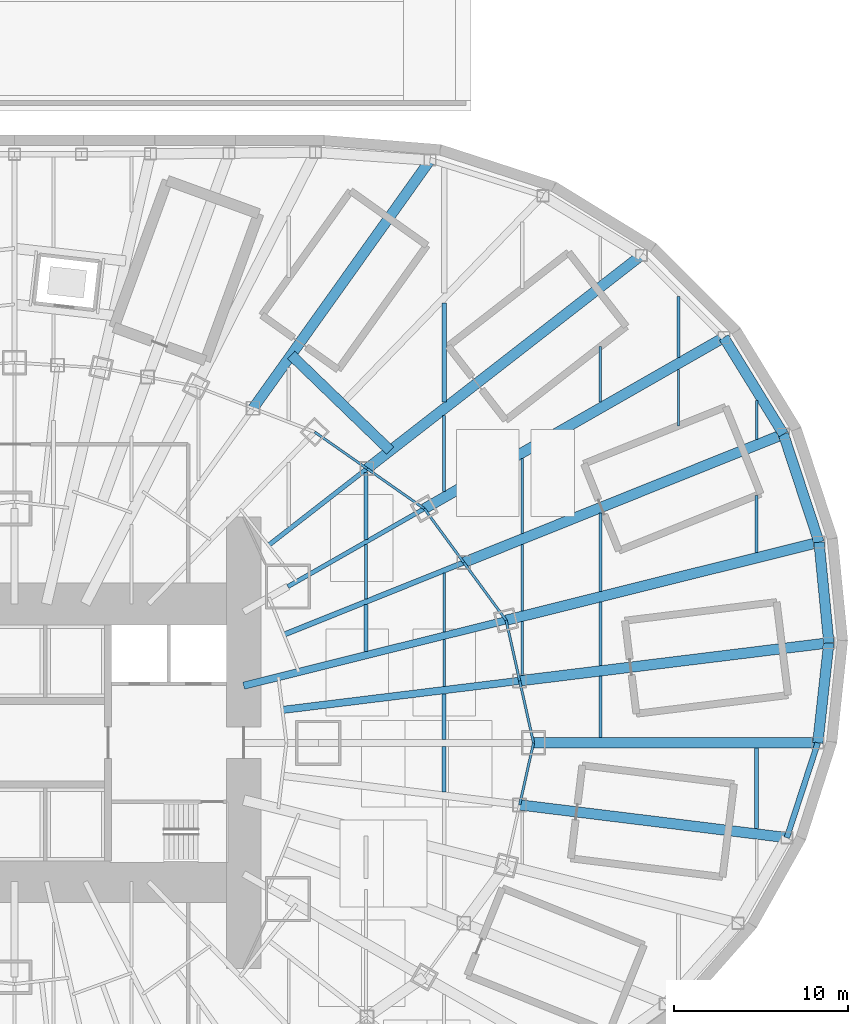
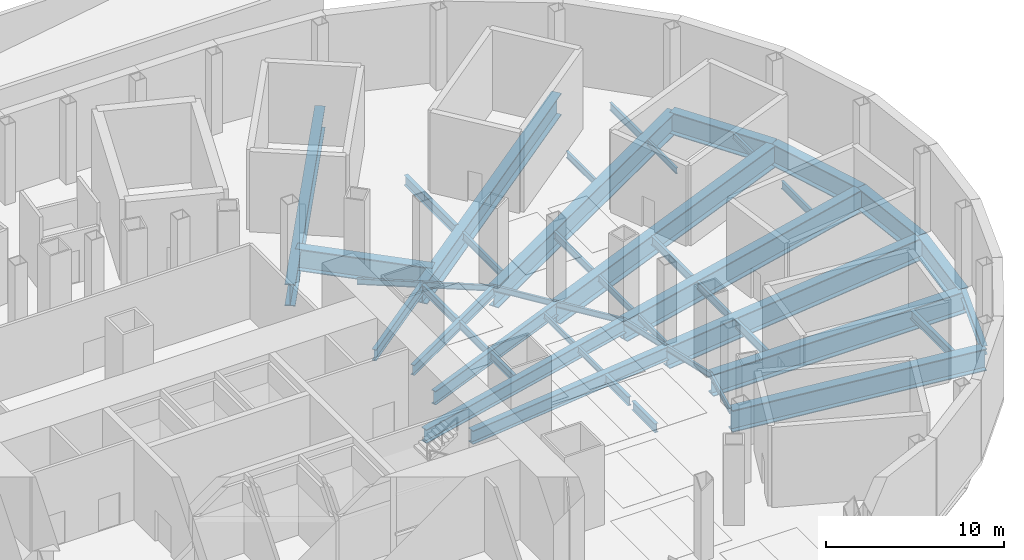
# One storey, part 8 of 19: 47 beams.
"""IFC4 building model written with IfcOpenShell, lengths in metres."""

from ifc_helpers import new_model, si_unit, direction, frame, origin, origin_2d, place, context, subcontext, project, spatial, i_section, extrude, material, material_profile, profile_set, type_object, element, save


model = new_model("IFC4")

# Units and contexts
model_context = context("Model", 3, precision=1e-05, world=origin(), true_north=direction((0.0, 1.0)))
body_context = subcontext(model_context, "Body", "Model", "MODEL_VIEW")
ifc_project = project(units=[si_unit("LENGTHUNIT", "METRE"), si_unit("AREAUNIT", "SQUARE_METRE"), si_unit("VOLUMEUNIT", "CUBIC_METRE"), si_unit("PLANEANGLEUNIT", "RADIAN"), si_unit("MASSUNIT", "GRAM", prefix="KILO")], contexts=[model_context])

# Site, building, storey
site_placement = place(None, origin())
site = spatial("IfcSite", under=ifc_project, at=site_placement, CompositionType="ELEMENT")
building_placement = place(site_placement, origin())
building = spatial("IfcBuilding", under=site, at=building_placement, Name="Lantaw Convention Tower", CompositionType="ELEMENT")
storey_placement = place(building_placement, frame((0.0, 0.0, -5.5)))
storey = spatial("IfcBuildingStorey", under=building, at=storey_placement, Name="B1", CompositionType="ELEMENT", Elevation=-5.5)

# Beams
ifc_material_1 = material(Name="Steel ASTM A572 Grade 50", Category="steel")
ifc_material_profile_1 = material_profile(ifc_material_1, i_section(OverallWidth=0.60009765625, OverallDepth=1.5, WebThickness=0.02490234375, FlangeThickness=0.06005859375, at=origin_2d()), Name="PG1500X600X25X60")
ifc_profile_set_1 = profile_set([ifc_material_profile_1], Name="Steel ASTM A572 Grade 50")
beam_type_1 = type_object("IfcBeamType", Name="Beam E PG1500X600X25X60", PredefinedType="SPANDREL", material=ifc_profile_set_1)
beam_1_placement = place(storey_placement, frame((46.2724609375, 0.0, -1.050048828125), z_axis=(0.109673093737, 0.993967712006, 0.0), x_axis=(-0.993967712006, 0.109673093737, 0.0)))
element("IfcBeam", 1, at=beam_1_placement, inside=storey, type_object=beam_type_1, Name="Podium edge beam R00", PredefinedType="SPANDREL", context=body_context, shape_type="SweptSolid", body=[
    extrude(i_section(OverallWidth=0.60009765625, OverallDepth=1.5, WebThickness=0.02490234375, FlangeThickness=0.06005859375, at=origin_2d()), origin(), (0.0, 0.0, 1.0), 5.79443359375),
])
beam_2_placement = place(storey_placement, frame((46.907958984375, 5.759521484375, -1.050048828125), z_axis=(-0.097112121047, 0.995273447825, 0.0), x_axis=(-0.995273447825, -0.097112121047, 0.0)))
element("IfcBeam", 2, at=beam_2_placement, inside=storey, type_object=beam_type_1, Name="Podium edge beam B00", PredefinedType="SPANDREL", context=body_context, shape_type="SweptSolid", body=[
    extrude(i_section(OverallWidth=0.60009765625, OverallDepth=1.5, WebThickness=0.02490234375, FlangeThickness=0.06005859375, at=origin_2d()), origin(), (0.0, 0.0, 1.0), 5.822509765625),
])
beam_3_placement = place(storey_placement, frame((46.342529296875, 11.554443359375, -1.050048828125), z_axis=(-0.312739573604, 0.949838912186, 0.0), x_axis=(-0.949838912186, -0.312739573604, 0.0)))
element("IfcBeam", 3, at=beam_3_placement, inside=storey, type_object=beam_type_1, Name="Podium edge beam R01", PredefinedType="SPANDREL", context=body_context, shape_type="SweptSolid", body=[
    extrude(i_section(OverallWidth=0.60009765625, OverallDepth=1.5, WebThickness=0.02490234375, FlangeThickness=0.06005859375, at=origin_2d()), origin(), (0.0, 0.0, 1.0), 6.55517578125),
])
beam_4_placement = place(storey_placement, frame((44.29248046875, 17.78076171875, -1.050048828125), z_axis=(-0.524178644867, 0.851608330317, 0.0), x_axis=(-0.851608330317, -0.524178644867, 0.0)))
element("IfcBeam", 4, at=beam_4_placement, inside=storey, type_object=beam_type_1, Name="Podium edge beam B01", PredefinedType="SPANDREL", context=body_context, shape_type="SweptSolid", body=[
    extrude(i_section(OverallWidth=0.60009765625, OverallDepth=1.5, WebThickness=0.02490234375, FlangeThickness=0.06005859375, at=origin_2d()), origin(), (0.0, 0.0, 1.0), 6.54052734375),
])
ifc_material_2 = material(Name="Steel ASTM A992", Category="steel")
ifc_material_profile_2 = material_profile(ifc_material_2, i_section(OverallWidth=0.140380859375, OverallDepth=0.40380859375, WebThickness=0.007080078125, FlangeThickness=0.01123046875, FilletRadius=0.01025390625, at=origin_2d()), Name="W16X31")
ifc_profile_set_2 = profile_set([ifc_material_profile_2], Name="Steel ASTM A992")
beam_type_2 = type_object("IfcBeamType", Name="Beam E W16X31", PredefinedType="SPANDREL", material=ifc_profile_set_2)
beam_5_placement = place(storey_placement, frame((29.89990234375, 0.0, -0.501953125), z_axis=(-0.218631550323, 0.975807483679, 0.0), x_axis=(-0.975807483679, -0.218631550323, 0.0)))
element("IfcBeam", 5, at=beam_5_placement, inside=storey, type_object=beam_type_2, Name="Edge beam 1", PredefinedType="SPANDREL", context=body_context, shape_type="SweptSolid", body=[
    extrude(i_section(OverallWidth=0.140380859375, OverallDepth=0.40380859375, WebThickness=0.007080078125, FlangeThickness=0.01123046875, FilletRadius=0.01025390625, at=origin_2d()), origin(), (0.0, 0.0, 1.0), 3.66162109375),
])
beam_6_placement = place(storey_placement, frame((29.099365234375, 3.572998046875, -0.501953125), z_axis=(-0.218673326171, 0.97579812278, 0.0), x_axis=(-0.97579812278, -0.218673326171, 0.0)))
element("IfcBeam", 6, at=beam_6_placement, inside=storey, type_object=beam_type_2, Name="Edge beam 1", PredefinedType="SPANDREL", context=body_context, shape_type="SweptSolid", body=[
    extrude(i_section(OverallWidth=0.140380859375, OverallDepth=0.40380859375, WebThickness=0.007080078125, FlangeThickness=0.01123046875, FilletRadius=0.01025390625, at=origin_2d()), origin(), (0.0, 0.0, 1.0), 3.57373046875),
])
beam_7_placement = place(storey_placement, frame((28.31787109375, 7.060302734375, -0.501953125), z_axis=(-0.591255937291, 0.806483984105, 0.0), x_axis=(-0.806483984105, -0.591255937291, 0.0)))
element("IfcBeam", 7, at=beam_7_placement, inside=storey, type_object=beam_type_2, Name="Edge beam 2", PredefinedType="SPANDREL", context=body_context, shape_type="SweptSolid", body=[
    extrude(i_section(OverallWidth=0.140380859375, OverallDepth=0.40380859375, WebThickness=0.007080078125, FlangeThickness=0.01123046875, FilletRadius=0.01025390625, at=origin_2d()), origin(), (0.0, 0.0, 1.0), 4.126708984375),
])
beam_8_placement = place(storey_placement, frame((25.8779296875, 10.388427734375, -0.501953125), z_axis=(-0.591286566758, 0.806461527893, 0.0), x_axis=(-0.806461527893, -0.591286566758, 0.0)))
element("IfcBeam", 8, at=beam_8_placement, inside=storey, type_object=beam_type_2, Name="Edge beam 2", PredefinedType="SPANDREL", context=body_context, shape_type="SweptSolid", body=[
    extrude(i_section(OverallWidth=0.140380859375, OverallDepth=0.40380859375, WebThickness=0.007080078125, FlangeThickness=0.01123046875, FilletRadius=0.01025390625, at=origin_2d()), origin(), (0.0, 0.0, 1.0), 3.843994140625),
])
beam_9_placement = place(storey_placement, frame((23.60498046875, 13.488525390625, -0.501953125), z_axis=(-0.819442856133, 0.573160889744, 0.0), x_axis=(-0.573160889744, -0.819442856133, 0.0)))
element("IfcBeam", 9, at=beam_9_placement, inside=storey, type_object=beam_type_2, Name="Edge beam 3", PredefinedType="SPANDREL", context=body_context, shape_type="SweptSolid", body=[
    extrude(i_section(OverallWidth=0.140380859375, OverallDepth=0.40380859375, WebThickness=0.007080078125, FlangeThickness=0.01123046875, FilletRadius=0.01025390625, at=origin_2d()), origin(), (0.0, 0.0, 1.0), 4.022705078125),
])
beam_10_placement = place(storey_placement, frame((20.30859375, 15.794189453125, -0.501953125), z_axis=(-0.819409395821, 0.573208724672, 0.0), x_axis=(-0.573208724672, -0.819409395821, 0.0)))
element("IfcBeam", 10, at=beam_10_placement, inside=storey, type_object=beam_type_2, Name="Edge beam 3", PredefinedType="SPANDREL", context=body_context, shape_type="SweptSolid", body=[
    extrude(i_section(OverallWidth=0.140380859375, OverallDepth=0.40380859375, WebThickness=0.007080078125, FlangeThickness=0.01123046875, FilletRadius=0.01025390625, at=origin_2d()), origin(), (0.0, 0.0, 1.0), 3.682861328125),
])
beam_11_placement = place(storey_placement, frame((29.099365234375, -3.572998046875, -0.501953125), z_axis=(0.218631550323, 0.975807483679, 0.0), x_axis=(-0.975807483679, 0.218631550323, 0.0)))
element("IfcBeam", 11, at=beam_11_placement, inside=storey, type_object=beam_type_2, Name="Edge beam 24", PredefinedType="SPANDREL", context=body_context, shape_type="SweptSolid", body=[
    extrude(i_section(OverallWidth=0.140380859375, OverallDepth=0.40380859375, WebThickness=0.007080078125, FlangeThickness=0.01123046875, FilletRadius=0.01025390625, at=origin_2d()), origin(), (0.0, 0.0, 1.0), 3.66162109375),
])
ifc_material_profile_3 = material_profile(ifc_material_2, i_section(OverallWidth=0.3251953125, OverallDepth=0.612060546875, WebThickness=0.0126953125, FlangeThickness=0.01904296875, FilletRadius=0.0126953125, at=origin_2d()), Name="W24X104")
ifc_profile_set_3 = profile_set([ifc_material_profile_3], Name="Steel ASTM A992")
beam_type_3 = type_object("IfcBeamType", Name="Beam E W24X104", PredefinedType="SPANDREL", material=ifc_profile_set_3)
beam_12_placement = place(storey_placement, frame((44.488525390625, -5.46240234375, -0.60595703125), z_axis=(0.310448009473, 0.950590360468, 0.0), x_axis=(-0.950590360468, 0.310448009473, 0.0)))
element("IfcBeam", 12, at=beam_12_placement, inside=storey, type_object=beam_type_3, Name="Podium edge beam B23", PredefinedType="SPANDREL", context=body_context, shape_type="SweptSolid", body=[
    extrude(i_section(OverallWidth=0.3251953125, OverallDepth=0.612060546875, WebThickness=0.0126953125, FlangeThickness=0.01904296875, FilletRadius=0.0126953125, at=origin_2d()), origin(), (0.0, 0.0, 1.0), 5.746337890625),
])
ifc_material_profile_4 = material_profile(ifc_material_2, i_section(OverallWidth=0.25390625, OverallDepth=0.700927734375, WebThickness=0.015380859375, FlangeThickness=0.02783203125, FilletRadius=0.01513671875, at=origin_2d()), Name="W27X129")
ifc_profile_set_4 = profile_set([ifc_material_profile_4], Name="Steel ASTM A992")
beam_type_4 = type_object("IfcBeamType", Name="Beam G W27X129", PredefinedType="BEAM", material=ifc_profile_set_4)
beam_13_placement = place(storey_placement, frame((15.75, 9.0, -0.650634765625), z_axis=(0.868244802791, 0.496136032179, 0.0), x_axis=(-0.496136032179, 0.868244802791, 0.0)))
element("IfcBeam", 13, at=beam_13_placement, inside=storey, type_object=beam_type_4, Name="Floor girder on ray 3", PredefinedType="BEAM", context=body_context, shape_type="SweptSolid", body=[
    extrude(i_section(OverallWidth=0.25390625, OverallDepth=0.700927734375, WebThickness=0.015380859375, FlangeThickness=0.02783203125, FilletRadius=0.01513671875, at=origin_2d()), origin(), (0.0, 0.0, 1.0), 9.046875),
])
ifc_material_profile_5 = material_profile(ifc_material_2, i_section(OverallWidth=0.2666015625, OverallDepth=0.76953125, WebThickness=0.015625, FlangeThickness=0.025390625, FilletRadius=0.0126953125, at=origin_2d()), Name="W30X132")
ifc_profile_set_5 = profile_set([ifc_material_profile_5], Name="Steel ASTM A992")
beam_type_5 = type_object("IfcBeamType", Name="Beam G W30X132", PredefinedType="BEAM", material=ifc_profile_set_5)
beam_14_placement = place(storey_placement, frame((14.628173828125, 11.37646484375, -0.684814453125), z_axis=(0.789377792374, 0.613907729961, 0.0), x_axis=(-0.613907729961, 0.789377792374, 0.0)))
element("IfcBeam", 14, at=beam_14_placement, inside=storey, type_object=beam_type_5, Name="Floor girder on bisector 3", PredefinedType="BEAM", context=body_context, shape_type="SweptSolid", body=[
    extrude(i_section(OverallWidth=0.2666015625, OverallDepth=0.76953125, WebThickness=0.015625, FlangeThickness=0.025390625, FilletRadius=0.0126953125, at=origin_2d()), origin(), (0.0, 0.0, 1.0), 7.196044921875),
])
ifc_material_profile_6 = material_profile(ifc_material_2, i_section(OverallWidth=0.307373046875, OverallDepth=0.9423828125, WebThickness=0.022216796875, FlangeThickness=0.039794921875, FilletRadius=0.0126953125, at=origin_2d()), Name="W36X232")
ifc_profile_set_6 = profile_set([ifc_material_profile_6], Name="Steel ASTM A992")
beam_type_6 = type_object("IfcBeamType", Name="Beam G W36X232", PredefinedType="BEAM", material=ifc_profile_set_6)
beam_15_placement = place(storey_placement, frame((15.52001953125, 6.23046875, -0.771240234375), z_axis=(0.928018900171, 0.372533113864, 0.0), x_axis=(-0.372533113864, 0.928018900171, 0.0)))
element("IfcBeam", 15, at=beam_15_placement, inside=storey, type_object=beam_type_6, Name="Floor girder on bisector 2", PredefinedType="BEAM", context=body_context, shape_type="SweptSolid", body=[
    extrude(i_section(OverallWidth=0.307373046875, OverallDepth=0.9423828125, WebThickness=0.022216796875, FlangeThickness=0.039794921875, FilletRadius=0.0126953125, at=origin_2d()), origin(), (0.0, 0.0, 1.0), 11.161376953125),
])
ifc_material_profile_7 = material_profile(ifc_material_2, i_section(OverallWidth=0.421630859375, OverallDepth=0.937255859375, WebThickness=0.0224609375, FlangeThickness=0.039794921875, FilletRadius=0.02001953125, at=origin_2d()), Name="W36X282")
ifc_profile_set_7 = profile_set([ifc_material_profile_7], Name="Steel ASTM A992")
beam_type_7 = type_object("IfcBeamType", Name="Beam G W36X282", PredefinedType="BEAM", material=ifc_profile_set_7)
beam_16_placement = place(storey_placement, frame((15.433349609375, 1.89501953125, -0.7685546875), z_axis=(0.99254612715, 0.121869542874, 0.0), x_axis=(-0.121869542874, 0.99254612715, 0.0)))
element("IfcBeam", 16, at=beam_16_placement, inside=storey, type_object=beam_type_7, Name="Floor girder on bisector 1", PredefinedType="BEAM", context=body_context, shape_type="SweptSolid", body=[
    extrude(i_section(OverallWidth=0.421630859375, OverallDepth=0.937255859375, WebThickness=0.0224609375, FlangeThickness=0.039794921875, FilletRadius=0.02001953125, at=origin_2d()), origin(), (0.0, 0.0, 1.0), 13.7685546875),
])
ifc_material_profile_8 = material_profile(ifc_material_2, i_section(OverallWidth=0.424072265625, OverallDepth=0.947509765625, WebThickness=0.02392578125, FlangeThickness=0.042724609375, FilletRadius=0.012451171875, at=origin_2d()), Name="W36X302")
ifc_profile_set_8 = profile_set([ifc_material_profile_8], Name="Steel ASTM A992")
beam_type_8 = type_object("IfcBeamType", Name="Beam G W36X302", PredefinedType="BEAM", material=ifc_profile_set_8)
beam_17_placement = place(storey_placement, frame((13.199951171875, 3.291015625, -0.773681640625), z_axis=(0.970296233567, 0.241919860957, 0.0), x_axis=(-0.241919860957, 0.970296233567, 0.0)))
element("IfcBeam", 17, at=beam_17_placement, inside=storey, type_object=beam_type_8, Name="Floor girder on ray 2", PredefinedType="BEAM", context=body_context, shape_type="SweptSolid", body=[
    extrude(i_section(OverallWidth=0.424072265625, OverallDepth=0.947509765625, WebThickness=0.02392578125, FlangeThickness=0.042724609375, FilletRadius=0.012451171875, at=origin_2d()), origin(), (0.0, 0.0, 1.0), 15.580810546875),
])
ifc_material_profile_9 = material_profile(ifc_material_2, i_section(OverallWidth=0.140380859375, OverallDepth=0.40380859375, WebThickness=0.007080078125, FlangeThickness=0.01123046875, FilletRadius=0.01025390625, at=origin_2d()), Name="W16X31")
ifc_profile_set_9 = profile_set([ifc_material_profile_9], Name="Steel ASTM A992")
beam_type_9 = type_object("IfcBeamType", Name="Beam J W16X31", PredefinedType="JOIST", material=ifc_profile_set_9)
beam_18_placement = place(storey_placement, frame((24.75, 3.251220703125, -0.501953125), z_axis=(0.0, 1.0, 0.0), x_axis=(-1.0, 0.0, 0.0)))
element("IfcBeam", 18, at=beam_18_placement, inside=storey, type_object=beam_type_9, Name="Floor joist", PredefinedType="JOIST", context=body_context, shape_type="SweptSolid", body=[
    extrude(i_section(OverallWidth=0.140380859375, OverallDepth=0.40380859375, WebThickness=0.007080078125, FlangeThickness=0.01123046875, FilletRadius=0.01025390625, at=origin_2d()), origin(), (0.0, 0.0, 1.0), 2.701171875),
])
beam_19_placement = place(storey_placement, frame((24.75, 6.389404296875, -0.501953125), z_axis=(0.0, 1.0, 0.0), x_axis=(-1.0, 0.0, 0.0)))
element("IfcBeam", 19, at=beam_19_placement, inside=storey, type_object=beam_type_9, Name="Floor joist", PredefinedType="JOIST", context=body_context, shape_type="SweptSolid", body=[
    extrude(i_section(OverallWidth=0.140380859375, OverallDepth=0.40380859375, WebThickness=0.007080078125, FlangeThickness=0.01123046875, FilletRadius=0.01025390625, at=origin_2d()), origin(), (0.0, 0.0, 1.0), 3.380615234375),
])
beam_20_placement = place(storey_placement, frame((29.25, 3.893798828125, -0.501953125), z_axis=(0.0, 1.0, 0.0), x_axis=(-1.0, 0.0, 0.0)))
element("IfcBeam", 20, at=beam_20_placement, inside=storey, type_object=beam_type_9, Name="Floor joist", PredefinedType="JOIST", context=body_context, shape_type="SweptSolid", body=[
    extrude(i_section(OverallWidth=0.140380859375, OverallDepth=0.40380859375, WebThickness=0.007080078125, FlangeThickness=0.01123046875, FilletRadius=0.01025390625, at=origin_2d()), origin(), (0.0, 0.0, 1.0), 3.08984375),
])
beam_21_placement = place(storey_placement, frame((38.25, 18.264404296875, -0.501953125), z_axis=(0.0, 1.0, 0.0), x_axis=(-1.0, 0.0, 0.0)))
element("IfcBeam", 21, at=beam_21_placement, inside=storey, type_object=beam_type_9, Name="Floor joist", PredefinedType="JOIST", context=body_context, shape_type="SweptSolid", body=[
    extrude(i_section(OverallWidth=0.140380859375, OverallDepth=0.40380859375, WebThickness=0.007080078125, FlangeThickness=0.01123046875, FilletRadius=0.01025390625, at=origin_2d()), origin(), (0.0, 0.0, 1.0), 3.247314453125),
])
beam_22_placement = place(storey_placement, frame((42.75, 17.48486328125, -0.501953125), z_axis=(0.0, 1.0, 0.0), x_axis=(-1.0, 0.0, 0.0)))
element("IfcBeam", 22, at=beam_22_placement, inside=storey, type_object=beam_type_9, Name="Floor joist", PredefinedType="JOIST", context=body_context, shape_type="SweptSolid", body=[
    extrude(i_section(OverallWidth=0.140380859375, OverallDepth=0.40380859375, WebThickness=0.007080078125, FlangeThickness=0.01123046875, FilletRadius=0.01025390625, at=origin_2d()), origin(), (0.0, 0.0, 1.0), 2.2294921875),
])
ifc_material_profile_10 = material_profile(ifc_material_2, i_section(OverallWidth=0.15234375, OverallDepth=0.449462890625, WebThickness=0.007568359375, FlangeThickness=0.0107421875, FilletRadius=0.01025390625, at=origin_2d()), Name="W18X35")
ifc_profile_set_10 = profile_set([ifc_material_profile_10], Name="Steel ASTM A992")
beam_type_10 = type_object("IfcBeamType", Name="Beam J W18X35", PredefinedType="JOIST", material=ifc_profile_set_10)
beam_23_placement = place(storey_placement, frame((29.25, 7.60205078125, -0.52490234375), z_axis=(0.0, 1.0, 0.0), x_axis=(-1.0, 0.0, 0.0)))
element("IfcBeam", 23, at=beam_23_placement, inside=storey, type_object=beam_type_10, Name="Floor joist", PredefinedType="JOIST", context=body_context, shape_type="SweptSolid", body=[
    extrude(i_section(OverallWidth=0.15234375, OverallDepth=0.449462890625, WebThickness=0.007568359375, FlangeThickness=0.0107421875, FilletRadius=0.01025390625, at=origin_2d()), origin(), (0.0, 0.0, 1.0), 3.81689453125),
])
beam_24_placement = place(storey_placement, frame((33.75, 19.63134765625, -0.52490234375), z_axis=(0.0, 1.0, 0.0), x_axis=(-1.0, 0.0, 0.0)))
element("IfcBeam", 24, at=beam_24_placement, inside=storey, type_object=beam_type_10, Name="Floor joist", PredefinedType="JOIST", context=body_context, shape_type="SweptSolid", body=[
    extrude(i_section(OverallWidth=0.15234375, OverallDepth=0.449462890625, WebThickness=0.007568359375, FlangeThickness=0.0107421875, FilletRadius=0.01025390625, at=origin_2d()), origin(), (0.0, 0.0, 1.0), 3.19580078125),
])
ifc_material_profile_11 = material_profile(ifc_material_2, i_section(OverallWidth=0.1650390625, OverallDepth=0.52587890625, WebThickness=0.0087890625, FlangeThickness=0.011474609375, FilletRadius=0.0126953125, at=origin_2d()), Name="W21X44")
ifc_profile_set_11 = profile_set([ifc_material_profile_11], Name="Steel ASTM A992")
beam_type_11 = type_object("IfcBeamType", Name="Beam J W21X44", PredefinedType="JOIST", material=ifc_profile_set_11)
beam_25_placement = place(storey_placement, frame((24.75, 14.48828125, -0.56298828125), z_axis=(0.0, 1.0, 0.0), x_axis=(-1.0, 0.0, 0.0)))
element("IfcBeam", 25, at=beam_25_placement, inside=storey, type_object=beam_type_11, Name="Floor joist", PredefinedType="JOIST", context=body_context, shape_type="SweptSolid", body=[
    extrude(i_section(OverallWidth=0.1650390625, OverallDepth=0.52587890625, WebThickness=0.0087890625, FlangeThickness=0.011474609375, FilletRadius=0.0126953125, at=origin_2d()), origin(), (0.0, 0.0, 1.0), 4.3798828125),
])
beam_26_placement = place(storey_placement, frame((29.25, 12.0654296875, -0.56298828125), z_axis=(0.0, 1.0, 0.0), x_axis=(-1.0, 0.0, 0.0)))
element("IfcBeam", 26, at=beam_26_placement, inside=storey, type_object=beam_type_11, Name="Floor joist", PredefinedType="JOIST", context=body_context, shape_type="SweptSolid", body=[
    extrude(i_section(OverallWidth=0.1650390625, OverallDepth=0.52587890625, WebThickness=0.0087890625, FlangeThickness=0.011474609375, FilletRadius=0.0126953125, at=origin_2d()), origin(), (0.0, 0.0, 1.0), 4.30322265625),
])
beam_27_placement = place(storey_placement, frame((38.25, 22.20263671875, -0.56298828125), z_axis=(0.0, 1.0, 0.0), x_axis=(-1.0, 0.0, 0.0)))
element("IfcBeam", 27, at=beam_27_placement, inside=storey, type_object=beam_type_11, Name="Floor joist", PredefinedType="JOIST", context=body_context, shape_type="SweptSolid", body=[
    extrude(i_section(OverallWidth=0.1650390625, OverallDepth=0.52587890625, WebThickness=0.0087890625, FlangeThickness=0.011474609375, FilletRadius=0.0126953125, at=origin_2d()), origin(), (0.0, 0.0, 1.0), 3.518798828125),
])
beam_28_placement = place(storey_placement, frame((42.75, 10.968017578125, -0.56298828125), z_axis=(0.0, 1.0, 0.0), x_axis=(-1.0, 0.0, 0.0)))
element("IfcBeam", 28, at=beam_28_placement, inside=storey, type_object=beam_type_11, Name="Floor joist", PredefinedType="JOIST", context=body_context, shape_type="SweptSolid", body=[
    extrude(i_section(OverallWidth=0.1650390625, OverallDepth=0.52587890625, WebThickness=0.0087890625, FlangeThickness=0.011474609375, FilletRadius=0.0126953125, at=origin_2d()), origin(), (0.0, 0.0, 1.0), 3.2841796875),
])
ifc_material_profile_12 = material_profile(ifc_material_2, i_section(OverallWidth=0.16650390625, OverallDepth=0.535888671875, WebThickness=0.01025390625, FlangeThickness=0.0166015625, FilletRadius=0.0126953125, at=origin_2d()), Name="W21X57")
ifc_profile_set_12 = profile_set([ifc_material_profile_12], Name="Steel ASTM A992")
beam_type_12 = type_object("IfcBeamType", Name="Beam J W21X57", PredefinedType="JOIST", material=ifc_profile_set_12)
beam_29_placement = place(storey_placement, frame((20.25, 8.294677734375, -0.56787109375), z_axis=(0.0, 1.0, 0.0), x_axis=(-1.0, 0.0, 0.0)))
element("IfcBeam", 29, at=beam_29_placement, inside=storey, type_object=beam_type_12, Name="Floor joist", PredefinedType="JOIST", context=body_context, shape_type="SweptSolid", body=[
    extrude(i_section(OverallWidth=0.16650390625, OverallDepth=0.535888671875, WebThickness=0.01025390625, FlangeThickness=0.0166015625, FilletRadius=0.0126953125, at=origin_2d()), origin(), (0.0, 0.0, 1.0), 3.13037109375),
])
beam_30_placement = place(storey_placement, frame((33.75, 4.4462890625, -0.56787109375), z_axis=(0.0, 1.0, 0.0), x_axis=(-1.0, 0.0, 0.0)))
element("IfcBeam", 30, at=beam_30_placement, inside=storey, type_object=beam_type_12, Name="Floor joist", PredefinedType="JOIST", context=body_context, shape_type="SweptSolid", body=[
    extrude(i_section(OverallWidth=0.16650390625, OverallDepth=0.535888671875, WebThickness=0.01025390625, FlangeThickness=0.0166015625, FilletRadius=0.0126953125, at=origin_2d()), origin(), (0.0, 0.0, 1.0), 3.659423828125),
])
ifc_material_profile_13 = material_profile(ifc_material_2, i_section(OverallWidth=0.2099609375, OverallDepth=0.535888671875, WebThickness=0.010986328125, FlangeThickness=0.017333984375, FilletRadius=0.012939453125, at=origin_2d()), Name="W21X68")
ifc_profile_set_13 = profile_set([ifc_material_profile_13], Name="Steel ASTM A992")
beam_type_13 = type_object("IfcBeamType", Name="Beam J W21X68", PredefinedType="JOIST", material=ifc_profile_set_13)
beam_31_placement = place(storey_placement, frame((20.25, 5.267578125, -0.56787109375), z_axis=(0.0, 1.0, 0.0), x_axis=(-1.0, 0.0, 0.0)))
element("IfcBeam", 31, at=beam_31_placement, inside=storey, type_object=beam_type_13, Name="Floor joist", PredefinedType="JOIST", context=body_context, shape_type="SweptSolid", body=[
    extrude(i_section(OverallWidth=0.2099609375, OverallDepth=0.535888671875, WebThickness=0.010986328125, FlangeThickness=0.017333984375, FilletRadius=0.012939453125, at=origin_2d()), origin(), (0.0, 0.0, 1.0), 2.696044921875),
])
beam_32_placement = place(storey_placement, frame((20.25, 11.7177734375, -0.56787109375), z_axis=(0.0, 1.0, 0.0), x_axis=(-1.0, 0.0, 0.0)))
element("IfcBeam", 32, at=beam_32_placement, inside=storey, type_object=beam_type_13, Name="Floor joist", PredefinedType="JOIST", context=body_context, shape_type="SweptSolid", body=[
    extrude(i_section(OverallWidth=0.2099609375, OverallDepth=0.535888671875, WebThickness=0.010986328125, FlangeThickness=0.017333984375, FilletRadius=0.012939453125, at=origin_2d()), origin(), (0.0, 0.0, 1.0), 3.86181640625),
])
ifc_material_profile_14 = material_profile(ifc_material_2, i_section(OverallWidth=0.177978515625, OverallDepth=0.599365234375, WebThickness=0.010009765625, FlangeThickness=0.012939453125, FilletRadius=0.012939453125, at=origin_2d()), Name="W24X55")
ifc_profile_set_14 = profile_set([ifc_material_profile_14], Name="Steel ASTM A992")
beam_type_14 = type_object("IfcBeamType", Name="Beam J W24X55", PredefinedType="JOIST", material=ifc_profile_set_14)
beam_33_placement = place(storey_placement, frame((33.75, 0.300048828125, -0.599609375), z_axis=(0.0, 1.0, 0.0), x_axis=(-1.0, 0.0, 0.0)))
element("IfcBeam", 33, at=beam_33_placement, inside=storey, type_object=beam_type_14, Name="Floor joist", PredefinedType="JOIST", context=body_context, shape_type="SweptSolid", body=[
    extrude(i_section(OverallWidth=0.177978515625, OverallDepth=0.599365234375, WebThickness=0.010009765625, FlangeThickness=0.012939453125, FilletRadius=0.012939453125, at=origin_2d()), origin(), (0.0, 0.0, 1.0), 3.541748046875),
])
beam_34_placement = place(storey_placement, frame((33.75, 8.72412109375, -0.599609375), z_axis=(0.0, 1.0, 0.0), x_axis=(-1.0, 0.0, 0.0)))
element("IfcBeam", 34, at=beam_34_placement, inside=storey, type_object=beam_type_14, Name="Floor joist", PredefinedType="JOIST", context=body_context, shape_type="SweptSolid", body=[
    extrude(i_section(OverallWidth=0.177978515625, OverallDepth=0.599365234375, WebThickness=0.010009765625, FlangeThickness=0.012939453125, FilletRadius=0.012939453125, at=origin_2d()), origin(), (0.0, 0.0, 1.0), 4.501220703125),
])
ifc_material_profile_15 = material_profile(ifc_material_2, i_section(OverallWidth=0.22900390625, OverallDepth=0.612060546875, WebThickness=0.011962890625, FlangeThickness=0.01953125, FilletRadius=0.0126953125, at=origin_2d()), Name="W24X84")
ifc_profile_set_15 = profile_set([ifc_material_profile_15], Name="Steel ASTM A992")
beam_type_15 = type_object("IfcBeamType", Name="Beam J W24X84", PredefinedType="JOIST", material=ifc_profile_set_15)
for number, where, z_axis, x_axis, name in (
    (35, (24.75, -2.826416015625, -0.60595703125), (0.0, 1.0, 0.0), (-1.0, 0.0, 0.0), "Floor joist"),
    (36, (24.75, 0.201904296875, -0.60595703125), (0.0, 1.0, 0.0), (-1.0, 0.0, 0.0), "Floor joist"),
):
    element("IfcBeam", number, at=place(storey_placement, frame(where, z_axis=z_axis, x_axis=x_axis)), inside=storey, type_object=beam_type_15, Name=name, PredefinedType="JOIST", context=body_context, shape_type="SweptSolid", body=[
        extrude(i_section(OverallWidth=0.22900390625, OverallDepth=0.612060546875, WebThickness=0.011962890625, FlangeThickness=0.01953125, FilletRadius=0.0126953125, at=origin_2d()), origin(), (0.0, 0.0, 1.0), 2.62451171875),
    ])
beam_35_placement = place(storey_placement, frame((42.75, -4.94677734375, -0.60595703125), z_axis=(0.0, 1.0, 0.0), x_axis=(-1.0, 0.0, 0.0)))
element("IfcBeam", 37, at=beam_35_placement, inside=storey, type_object=beam_type_15, Name="Floor joist", PredefinedType="JOIST", context=body_context, shape_type="SweptSolid", body=[
    extrude(i_section(OverallWidth=0.22900390625, OverallDepth=0.612060546875, WebThickness=0.011962890625, FlangeThickness=0.01953125, FilletRadius=0.0126953125, at=origin_2d()), origin(), (0.0, 0.0, 1.0), 4.646728515625),
])
ifc_material_profile_16 = material_profile(ifc_material_2, i_section(OverallWidth=0.25390625, OverallDepth=0.683349609375, WebThickness=0.012451171875, FlangeThickness=0.01904296875, FilletRadius=0.01513671875, at=origin_2d()), Name="W27X94")
ifc_profile_set_16 = profile_set([ifc_material_profile_16], Name="Steel ASTM A992")
beam_type_16 = type_object("IfcBeamType", Name="Beam J W27X94", PredefinedType="JOIST", material=ifc_profile_set_16)
beam_36_placement = place(storey_placement, frame((24.75, 19.62841796875, -0.6416015625), z_axis=(0.0, 1.0, 0.0), x_axis=(-1.0, 0.0, 0.0)))
element("IfcBeam", 38, at=beam_36_placement, inside=storey, type_object=beam_type_16, Name="Floor joist", PredefinedType="JOIST", context=body_context, shape_type="SweptSolid", body=[
    extrude(i_section(OverallWidth=0.25390625, OverallDepth=0.683349609375, WebThickness=0.012451171875, FlangeThickness=0.01904296875, FilletRadius=0.01513671875, at=origin_2d()), origin(), (0.0, 0.0, 1.0), 5.710205078125),
])
ifc_material_profile_17 = material_profile(ifc_material_1, i_section(OverallWidth=0.60009765625, OverallDepth=1.5, WebThickness=0.02490234375, FlangeThickness=0.06005859375, at=origin_2d()), Name="PG1500X600X25X60")
ifc_profile_set_17 = profile_set([ifc_material_profile_17], Name="Steel ASTM A572 Grade 50")
beam_type_17 = type_object("IfcBeamType", Name="Beam PG PG1500X600X25X60", PredefinedType="BEAM", material=ifc_profile_set_17)
beam_37_placement = place(storey_placement, frame((29.89990234375, 0.0, -1.050048828125), z_axis=(1.0, 0.0, 0.0), x_axis=(0.0, 1.0, 0.0)))
element("IfcBeam", 39, at=beam_37_placement, inside=storey, type_object=beam_type_17, Name="Podium girder PR01", PredefinedType="BEAM", context=body_context, shape_type="SweptSolid", body=[
    extrude(i_section(OverallWidth=0.60009765625, OverallDepth=1.5, WebThickness=0.02490234375, FlangeThickness=0.06005859375, at=origin_2d()), origin(), (0.0, 0.0, 1.0), 16.37255859375),
])
beam_38_placement = place(storey_placement, frame((28.31787109375, 7.060302734375, -1.050048828125), z_axis=(0.970294606785, 0.24192638559, 0.0), x_axis=(-0.24192638559, 0.970294606785, 0.0)))
element("IfcBeam", 40, at=beam_38_placement, inside=storey, type_object=beam_type_17, Name="Podium girder PR02", PredefinedType="BEAM", context=body_context, shape_type="SweptSolid", body=[
    extrude(i_section(OverallWidth=0.60009765625, OverallDepth=1.5, WebThickness=0.02490234375, FlangeThickness=0.06005859375, at=origin_2d()), origin(), (0.0, 0.0, 1.0), 18.576416015625),
])
beam_39_placement = place(storey_placement, frame((23.60498046875, 13.488525390625, -1.050048828125), z_axis=(0.868243142124, 0.496138938357, 0.0), x_axis=(-0.496138938357, 0.868243142124, 0.0)))
element("IfcBeam", 41, at=beam_39_placement, inside=storey, type_object=beam_type_17, Name="Podium girder PR03", PredefinedType="BEAM", context=body_context, shape_type="SweptSolid", body=[
    extrude(i_section(OverallWidth=0.60009765625, OverallDepth=1.5, WebThickness=0.02490234375, FlangeThickness=0.06005859375, at=origin_2d()), origin(), (0.0, 0.0, 1.0), 19.878173828125),
])
beam_40_placement = place(storey_placement, frame((29.099365234375, 3.572998046875, -1.050048828125), z_axis=(0.992546805071, 0.121864021526, 0.0), x_axis=(-0.121864021526, 0.992546805071, 0.0)))
element("IfcBeam", 42, at=beam_40_placement, inside=storey, type_object=beam_type_17, Name="Podium girder PB01", PredefinedType="BEAM", context=body_context, shape_type="SweptSolid", body=[
    extrude(i_section(OverallWidth=0.60009765625, OverallDepth=1.5, WebThickness=0.02490234375, FlangeThickness=0.06005859375, at=origin_2d()), origin(), (0.0, 0.0, 1.0), 17.9423828125),
])
beam_41_placement = place(storey_placement, frame((25.8779296875, 10.388427734375, -1.050048828125), z_axis=(0.928015225832, 0.372542266897, 0.0), x_axis=(-0.372542266897, 0.928015225832, 0.0)))
element("IfcBeam", 43, at=beam_41_placement, inside=storey, type_object=beam_type_17, Name="Podium girder PB02", PredefinedType="BEAM", context=body_context, shape_type="SweptSolid", body=[
    extrude(i_section(OverallWidth=0.60009765625, OverallDepth=1.5, WebThickness=0.02490234375, FlangeThickness=0.06005859375, at=origin_2d()), origin(), (0.0, 0.0, 1.0), 19.843017578125),
])
beam_42_placement = place(storey_placement, frame((20.30859375, 15.794189453125, -1.050048828125), z_axis=(0.78937783277, 0.613907678019, 0.0), x_axis=(-0.613907678019, 0.78937783277, 0.0)))
element("IfcBeam", 44, at=beam_42_placement, inside=storey, type_object=beam_type_17, Name="Podium girder PB03", PredefinedType="BEAM", context=body_context, shape_type="SweptSolid", body=[
    extrude(i_section(OverallWidth=0.60009765625, OverallDepth=1.5, WebThickness=0.02490234375, FlangeThickness=0.06005859375, at=origin_2d()), origin(), (0.0, 0.0, 1.0), 20.0146484375),
])
beam_43_placement = place(storey_placement, frame((13.745361328125, 19.270263671875, -1.050048828125), z_axis=(0.580706616871, 0.814112906864, 0.0), x_axis=(-0.814112906864, 0.580706616871, 0.0)))
element("IfcBeam", 45, at=beam_43_placement, inside=storey, type_object=beam_type_17, Name="Podium girder PB04", PredefinedType="BEAM", context=body_context, shape_type="SweptSolid", body=[
    extrude(i_section(OverallWidth=0.60009765625, OverallDepth=1.5, WebThickness=0.02490234375, FlangeThickness=0.06005859375, at=origin_2d()), origin(), (0.0, 0.0, 1.0), 17.555908203125),
])
beam_44_placement = place(storey_placement, frame((29.099365234375, -3.572998046875, -1.050048828125), z_axis=(0.992547298236, -0.121860004776, 0.0), x_axis=(0.121860004776, 0.992547298236, 0.0)))
element("IfcBeam", 46, at=beam_44_placement, inside=storey, type_object=beam_type_17, Name="Podium girder PB24", PredefinedType="BEAM", context=body_context, shape_type="SweptSolid", body=[
    extrude(i_section(OverallWidth=0.60009765625, OverallDepth=1.5, WebThickness=0.02490234375, FlangeThickness=0.06005859375, at=origin_2d()), origin(), (0.0, 0.0, 1.0), 15.504638671875),
])
ifc_material_profile_18 = material_profile(ifc_material_1, i_section(OverallWidth=0.60009765625, OverallDepth=1.5, WebThickness=0.02490234375, FlangeThickness=0.06005859375, at=origin_2d()), Name="PG1500X600X25X60")
ifc_profile_set_18 = profile_set([ifc_material_profile_18], Name="Steel ASTM A572 Grade 50")
beam_type_18 = type_object("IfcBeamType", Name="Beam TP PG1500X600X25X60", PredefinedType="BEAM", material=ifc_profile_set_18)
beam_45_placement = place(storey_placement, frame((21.64208984375, 16.8310546875, -1.050048828125), z_axis=(-0.719341000633, 0.694657127515, 0.0), x_axis=(-0.694657127515, -0.719341000633, 0.0)))
element("IfcBeam", 47, at=beam_45_placement, inside=storey, type_object=beam_type_18, Name="Trimmer beam on ray 4", PredefinedType="BEAM", context=body_context, shape_type="SweptSolid", body=[
    extrude(i_section(OverallWidth=0.60009765625, OverallDepth=1.5, WebThickness=0.02490234375, FlangeThickness=0.06005859375, at=origin_2d()), origin(), (0.0, 0.0, 1.0), 7.932373046875),
])

save(model, "model.ifc")
